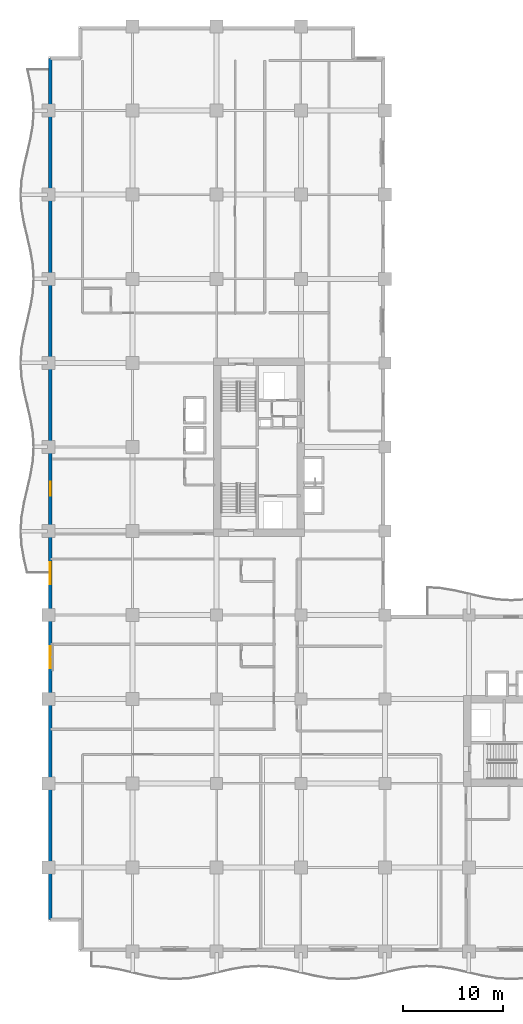
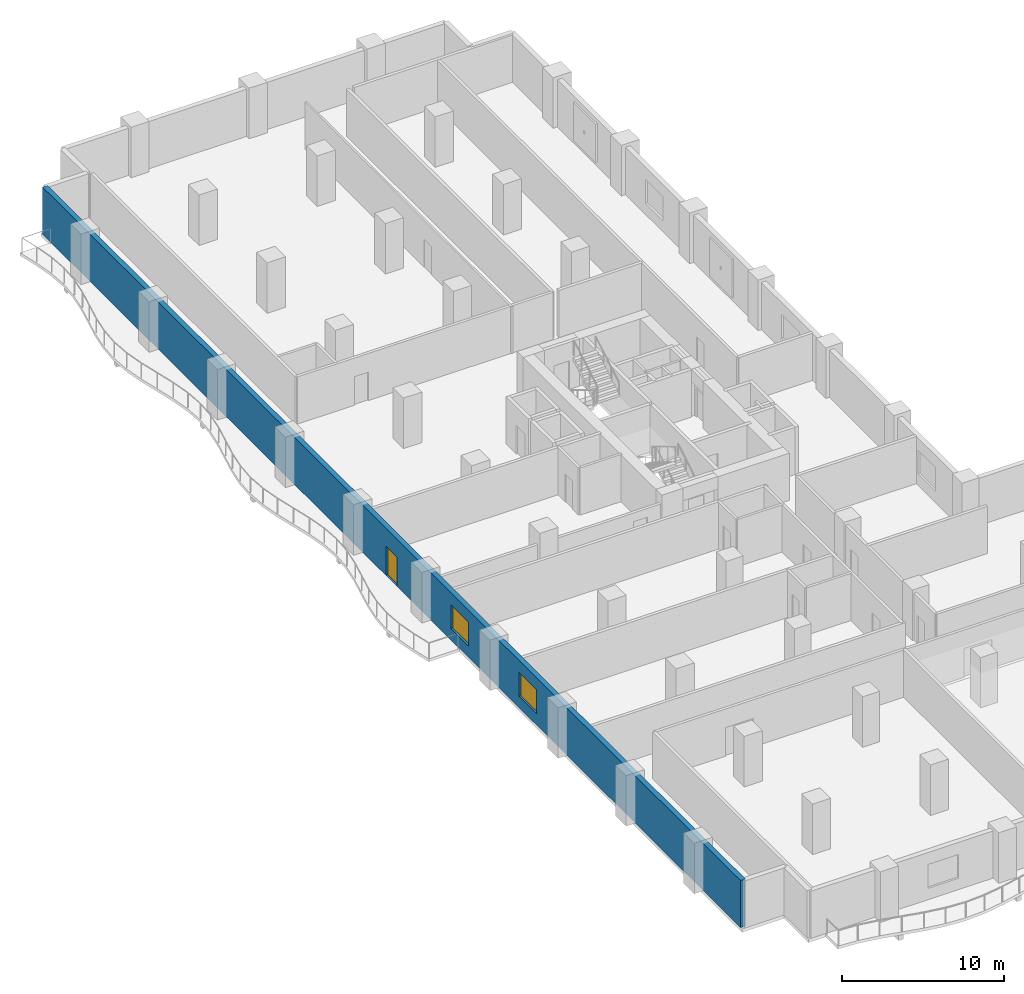
# One storey, part 11 of 23: 2 windows, 1 door, 1 wall, 3 openings.
"""IFC4 building model written with IfcOpenShell, lengths in metres."""

from ifc_helpers import new_model, si_unit, direction, frame, frame_2d, origin, place, context, subcontext, project, spatial, rectangle, extrude, material, layer, layer_set, type_object, element, fill, save


model = new_model("IFC4")

# Units and contexts
model_context = context("Model", 3, precision=1e-05, world=origin(), true_north=direction((0.0, 1.0)))
body_context = subcontext(model_context, "Body", "Model", "MODEL_VIEW")
ifc_project = project(units=[si_unit("LENGTHUNIT", "METRE"), si_unit("AREAUNIT", "SQUARE_METRE"), si_unit("VOLUMEUNIT", "CUBIC_METRE"), si_unit("PLANEANGLEUNIT", "RADIAN"), si_unit("MASSUNIT", "GRAM", prefix="KILO")], contexts=[model_context])

# Site, building, storey
site_placement = place(None, origin())
site = spatial("IfcSite", under=ifc_project, at=site_placement, CompositionType="ELEMENT")
building_placement = place(site_placement, origin())
building = spatial("IfcBuilding", under=site, at=building_placement, Name="Koriwani Terraces Tower", CompositionType="ELEMENT")
storey_placement = place(building_placement, frame((0.0, 0.0, 134.199951171875)))
storey = spatial("IfcBuildingStorey", under=building, at=storey_placement, Name="L32", CompositionType="ELEMENT", Elevation=134.199951171875)

# Wall, openings, door, windows
ifc_material_1 = material(Name="Concrete C50/60", Category="concrete")
ifc_layer = layer(ifc_material_1, 0.35009765625, Name="Concrete C50/60")
ifc_layer_set = layer_set([ifc_layer], Name="Concrete C50/60")
wall_type = type_object("IfcWallType", Name="WALL_EXT_BRUTALIST_350", PredefinedType="STANDARD", material=ifc_layer_set)
wall_placement = place(storey_placement, frame((0.175048828125, 3.175048828125, 0.0), z_axis=(0.0, 0.0, 1.0), x_axis=(0.0, 1.0, 0.0)))
wall = element("IfcWall", 1, at=wall_placement, inside=storey, type_object=wall_type, Name="L32 Fair-Faced Brutalist Exterior Wall (W)", PredefinedType="STANDARD", context=body_context, shape_type="SweptSolid", body=[
    extrude(rectangle(XDim=86.050048828125, YDim=0.35009765625, at=frame_2d((43.02490234375, 0.0))), origin(), (0.0, 0.0, 1.0), 3.550048828125),
])
opening_1_placement = place(wall_placement, frame((42.324951171875, 0.0, 0.0)))
opening_1 = element("IfcOpeningElement", 2, at=opening_1_placement, cuts=wall, Name="Opening D-09", PredefinedType="OPENING", context=body_context, shape_type="SweptSolid", body=[
    extrude(rectangle(XDim=1.39990234375, YDim=2.199951171875, at=frame_2d((0.699951171875, 1.10009765625))), frame((0.0, 0.18505859375, 0.0), z_axis=(0.0, -1.0, 0.0), x_axis=(1.0, 0.0, 0.0)), (0.0, 0.0, 1.0), 0.3701171875),
])
opening_2_placement = place(wall_placement, frame((25.125, 0.0, 0.85009765625)))
opening_2 = element("IfcOpeningElement", 3, at=opening_2_placement, cuts=wall, Name="Opening W-01", PredefinedType="OPENING", context=body_context, shape_type="SweptSolid", body=[
    extrude(rectangle(XDim=2.199951171875, YDim=1.800048828125, at=frame_2d((1.10009765625, 0.89990234375))), frame((0.0, 0.18505859375, 0.0), z_axis=(0.0, -1.0, 0.0), x_axis=(1.0, 0.0, 0.0)), (0.0, 0.0, 1.0), 0.3701171875),
])
opening_3_placement = place(wall_placement, frame((33.52490234375, 0.0, 0.85009765625)))
opening_3 = element("IfcOpeningElement", 4, at=opening_3_placement, cuts=wall, Name="Opening W-01", PredefinedType="OPENING", context=body_context, shape_type="SweptSolid", body=[
    extrude(rectangle(XDim=2.199951171875, YDim=1.800048828125, at=frame_2d((1.10009765625, 0.89990234375))), frame((0.0, 0.18505859375, 0.0), z_axis=(0.0, -1.0, 0.0), x_axis=(1.0, 0.0, 0.0)), (0.0, 0.0, 1.0), 0.3701171875),
])
ifc_material_2 = material(Name="Anodised Bronze Aluminium", Category="aluminium")
door_type = type_object("IfcDoorType", Name="DOOR_BALCONY_GLAZED_1400X2200", OperationType="NOTDEFINED", PredefinedType="DOOR", material=ifc_material_2)
door_placement = place(opening_1_placement, origin())
door = element("IfcDoor", 5, at=door_placement, inside=storey, type_object=door_type, Name="L32 West Balcony Glazed Door", OperationType="SINGLE_SWING_LEFT", OverallHeight=2.199951171875, OverallWidth=1.39990234375, PredefinedType="DOOR", context=body_context, shape_type="SweptSolid", body=[
    extrude(rectangle(XDim=1.39990234375, YDim=2.199951171875, at=frame_2d((0.699951171875, 1.10009765625))), frame((0.0, 0.02490234375, 0.0), z_axis=(0.0, -1.0, 0.0), x_axis=(1.0, 0.0, 0.0)), (0.0, 0.0, 1.0), 0.050048828125),
])
fill(opening_1, door)
ifc_material_3 = material(Name="Tempered Laminated Low-E Glass", Category="glass")
window_type = type_object("IfcWindowType", Name="WIN_HOTEL_STD_2200X1800", PartitioningType="DOUBLE_PANEL_VERTICAL", PredefinedType="WINDOW", material=ifc_material_3)
window_1_placement = place(opening_2_placement, origin())
window_1 = element("IfcWindow", 6, at=window_1_placement, inside=storey, type_object=window_type, Name="L32 Exterior Window (W-9)", OverallHeight=1.800048828125, OverallWidth=2.199951171875, PartitioningType="SINGLE_PANEL", PredefinedType="WINDOW", context=body_context, shape_type="SweptSolid", body=[
    extrude(rectangle(XDim=2.199951171875, YDim=1.800048828125, at=frame_2d((1.10009765625, 0.89990234375))), frame((0.0, 0.030029296875, 0.0), z_axis=(0.0, -1.0, 0.0), x_axis=(1.0, 0.0, 0.0)), (0.0, 0.0, 1.0), 0.06005859375),
])
fill(opening_2, window_1)
window_2_placement = place(opening_3_placement, origin())
window_2 = element("IfcWindow", 7, at=window_2_placement, inside=storey, type_object=window_type, Name="L32 Exterior Window (W-12)", OverallHeight=1.800048828125, OverallWidth=2.199951171875, PartitioningType="SINGLE_PANEL", PredefinedType="WINDOW", context=body_context, shape_type="SweptSolid", body=[
    extrude(rectangle(XDim=2.199951171875, YDim=1.800048828125, at=frame_2d((1.10009765625, 0.89990234375))), frame((0.0, 0.030029296875, 0.0), z_axis=(0.0, -1.0, 0.0), x_axis=(1.0, 0.0, 0.0)), (0.0, 0.0, 1.0), 0.06005859375),
])
fill(opening_3, window_2)

save(model, "model.ifc")
